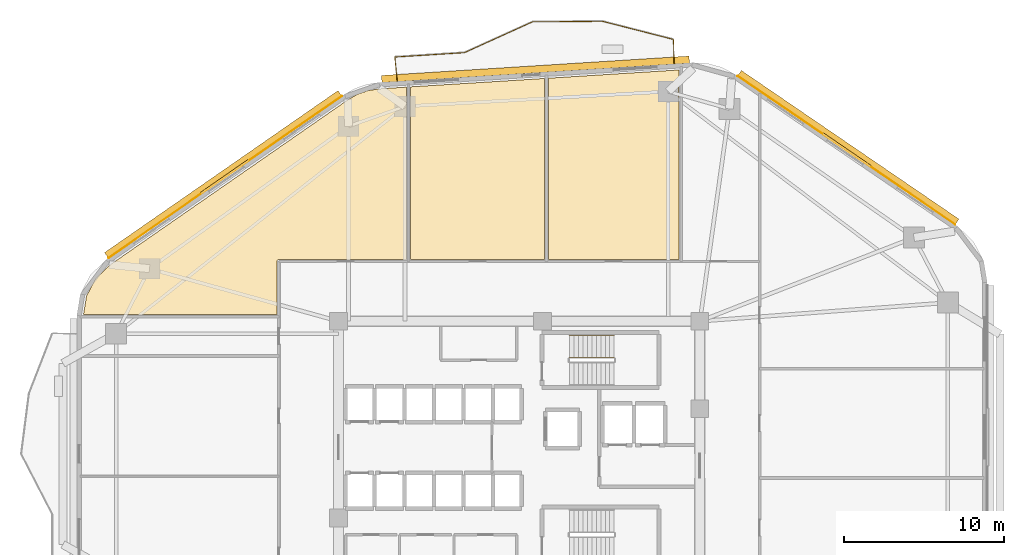
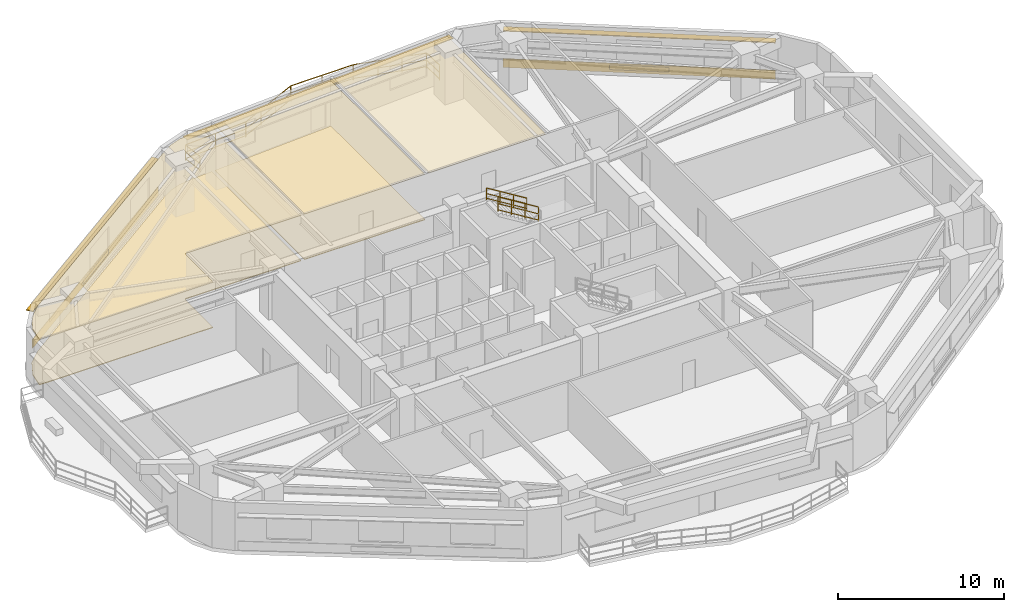
# One storey, part 9 of 9: 8 railings, 7 coverings, 5 shading devices.
"""IFC4 building model written with IfcOpenShell, lengths in metres."""

from ifc_helpers import new_model, si_unit, direction, frame, origin, origin_2d, place, context, subcontext, project, spatial, polyline, rectangle, outline, extrude, material, layer, layer_set, type_object, element, save


model = new_model("IFC4")

# Units and contexts
model_context = context("Model", 3, precision=1e-05, world=origin(), true_north=direction((0.0, 1.0)))
body_context = subcontext(model_context, "Body", "Model", "MODEL_VIEW")
ifc_project = project(units=[si_unit("LENGTHUNIT", "METRE"), si_unit("AREAUNIT", "SQUARE_METRE"), si_unit("VOLUMEUNIT", "CUBIC_METRE"), si_unit("PLANEANGLEUNIT", "RADIAN"), si_unit("MASSUNIT", "GRAM", prefix="KILO")], contexts=[model_context])

# Site, building, storey
site_placement = place(None, origin())
site = spatial("IfcSite", under=ifc_project, at=site_placement, CompositionType="ELEMENT")
building_placement = place(site_placement, origin())
building = spatial("IfcBuilding", under=site, at=building_placement, Name="Zulverin Broadcast Headquarters", CompositionType="ELEMENT")
storey_placement = place(building_placement, frame((0.0, 0.0, 51.60009765625)))
storey = spatial("IfcBuildingStorey", under=building, at=storey_placement, Name="L12", CompositionType="ELEMENT", Elevation=51.60009765625)

# Coverings
ifc_material_1 = material(Name="Perforated pale-metal acoustic baffle ceiling", Category="aluminium")
ifc_layer_1 = layer(ifc_material_1, 0.0400390625, Name="Perforated pale-metal acoustic baffle ceiling", Category="aluminium")
ifc_layer_set_1 = layer_set([ifc_layer_1], Name="Perforated pale-metal acoustic baffle ceiling")
covering_type_1 = type_object("IfcCoveringType", Name="COV-CEIL-ACOU", PredefinedType="CEILING", material=ifc_layer_set_1)
covering_1_placement = place(storey_placement, frame((0.0, 0.0, 3.344970703125)))
element("IfcCovering", 1, at=covering_1_placement, inside=storey, type_object=covering_type_1, Name="L12 Acoustic Baffle Ceiling 01", PredefinedType="CEILING", context=body_context, shape_type="SweptSolid", body=[
    extrude(outline(polyline([(11.4599609375, 36.583984375), (10.56005859375, 35.719970703125), (10.0, 34.639892578125), (9.81591796875, 33.5), (21.8798828125, 33.5), (21.8798828125, 36.800048828125), (21.8798828125, 36.81201171875), (21.884033203125, 36.823974609375), (21.884033203125, 36.8359375), (21.887939453125, 36.843994140625), (21.89599609375, 36.85595703125), (21.89990234375, 36.867919921875), (21.907958984375, 36.8759765625), (21.916015625, 36.884033203125), (21.924072265625, 36.89208984375), (21.931884765625, 36.89990234375), (21.944091796875, 36.904052734375), (21.9560546875, 36.912109375), (21.964111328125, 36.916015625), (21.97607421875, 36.916015625), (21.988037109375, 36.919921875), (22.0, 36.919921875), (29.97998046875, 36.919921875), (29.97998046875, 47.68408203125), (28.27587890625, 47.575927734375), (27.575927734375, 47.468017578125), (26.927978515625, 47.243896484375), (26.31591796875, 46.89599609375), (11.4599609375, 36.583984375)])), origin(), (0.0, 0.0, 1.0), 0.0400390625),
])
covering_2_placement = place(storey_placement, frame((0.0, 0.0, 3.344970703125)))
element("IfcCovering", 2, at=covering_2_placement, inside=storey, type_object=covering_type_1, Name="L12 Acoustic Baffle Ceiling 02", PredefinedType="CEILING", context=body_context, shape_type="SweptSolid", body=[
    extrude(outline(polyline([(38.580078125, 36.919921875), (38.580078125, 48.22412109375), (30.219970703125, 47.699951171875), (30.219970703125, 36.919921875), (38.580078125, 36.919921875)])), origin(), (0.0, 0.0, 1.0), 0.0400390625),
])
covering_3_placement = place(storey_placement, frame((0.0, 0.0, 3.344970703125)))
element("IfcCovering", 3, at=covering_3_placement, inside=storey, type_object=covering_type_1, Name="L12 Acoustic Baffle Ceiling 03", PredefinedType="CEILING", context=body_context, shape_type="SweptSolid", body=[
    extrude(outline(polyline([(46.97998046875, 36.919921875), (46.97998046875, 48.756103515625), (38.820068359375, 48.239990234375), (38.820068359375, 36.919921875), (46.97998046875, 36.919921875)])), origin(), (0.0, 0.0, 1.0), 0.0400390625),
])
ifc_material_2 = material(Name="Brushed pale-aluminium rainscreen cladding", Category="aluminium")
ifc_layer_2 = layer(ifc_material_2, 0.0400390625, Name="Brushed pale-aluminium rainscreen cladding", Category="aluminium")
ifc_layer_set_2 = layer_set([ifc_layer_2], Name="Brushed pale-aluminium rainscreen cladding")
covering_type_2 = type_object("IfcCoveringType", Name="COV-CLAD-PALE", PredefinedType="CLADDING", material=ifc_layer_set_2)
covering_4_placement = place(storey_placement, frame((57.418212890625, 43.742431640625, 0.054931640625), z_axis=(0.0, 0.0, 1.0), x_axis=(-0.825756855157, 0.564026254851, 0.0)))
element("IfcCovering", 4, at=covering_4_placement, inside=storey, type_object=covering_type_2, Name="L12 Brushed Pale-Aluminium Spandrel Cladding 4", PredefinedType="CLADDING", context=body_context, shape_type="SweptSolid", body=[
    extrude(rectangle(XDim=16.4482421875, YDim=0.0400390625, at=origin_2d()), origin(), (0.0, 0.0, 1.0), 0.64990234375),
])
covering_5_placement = place(storey_placement, frame((18.648193359375, 42.072021484375, 0.054931640625), z_axis=(0.0, 0.0, 1.0), x_axis=(-0.821556397865, -0.57012725345, 0.0)))
element("IfcCovering", 5, at=covering_5_placement, inside=storey, type_object=covering_type_2, Name="L12 Brushed Pale-Aluminium Spandrel Cladding 6", PredefinedType="CLADDING", context=body_context, shape_type="SweptSolid", body=[
    extrude(rectangle(XDim=17.732421875, YDim=0.0400390625, at=origin_2d()), origin(), (0.0, 0.0, 1.0), 0.64990234375),
])
ifc_material_3 = material(Name="Anti-static broadcast raised access flooring", Category="stone")
ifc_layer_3 = layer(ifc_material_3, 0.050048828125, Name="Anti-static broadcast raised access flooring", Category="stone")
ifc_layer_set_3 = layer_set([ifc_layer_3], Name="Anti-static broadcast raised access flooring")
covering_type_3 = type_object("IfcCoveringType", Name="COV-FLR-RAISED", PredefinedType="FLOORING", material=ifc_layer_set_3)
covering_6_placement = place(storey_placement, origin())
element("IfcCovering", 6, at=covering_6_placement, inside=storey, type_object=covering_type_3, Name="L12 Broadcast Raised Access Flooring 01", PredefinedType="FLOORING", context=body_context, shape_type="SweptSolid", body=[
    extrude(outline(polyline([(11.4599609375, 36.583984375), (10.56005859375, 35.719970703125), (10.0, 34.639892578125), (9.81591796875, 33.5), (21.8798828125, 33.5), (21.8798828125, 36.800048828125), (21.8798828125, 36.81201171875), (21.884033203125, 36.823974609375), (21.884033203125, 36.8359375), (21.887939453125, 36.843994140625), (21.89599609375, 36.85595703125), (21.89990234375, 36.867919921875), (21.907958984375, 36.8759765625), (21.916015625, 36.884033203125), (21.924072265625, 36.89208984375), (21.931884765625, 36.89990234375), (21.944091796875, 36.904052734375), (21.9560546875, 36.912109375), (21.964111328125, 36.916015625), (21.97607421875, 36.916015625), (21.988037109375, 36.919921875), (22.0, 36.919921875), (29.97998046875, 36.919921875), (29.97998046875, 47.68408203125), (28.27587890625, 47.575927734375), (27.575927734375, 47.468017578125), (26.927978515625, 47.243896484375), (26.31591796875, 46.89599609375), (11.4599609375, 36.583984375)])), origin(), (0.0, 0.0, 1.0), 0.0498046875),
])
covering_7_placement = place(storey_placement, origin())
element("IfcCovering", 7, at=covering_7_placement, inside=storey, type_object=covering_type_3, Name="L12 Broadcast Raised Access Flooring 02", PredefinedType="FLOORING", context=body_context, shape_type="SweptSolid", body=[
    extrude(outline(polyline([(38.580078125, 36.919921875), (38.580078125, 48.22412109375), (30.219970703125, 47.699951171875), (30.219970703125, 36.919921875), (38.580078125, 36.919921875)])), origin(), (0.0, 0.0, 1.0), 0.0498046875),
])

# Railings
ifc_material_4 = material(Name="Brushed stainless steel & laminated glass balustrade", Category="steel")
railing_type_1 = type_object("IfcRailingType", Name="RL-GUARD-1150", PredefinedType="GUARDRAIL", material=ifc_material_4)
railing_1_placement = place(storey_placement, frame((46.662841796875, 49.176025390625, 0.0)))
element("IfcRailing", 8, at=railing_1_placement, inside=storey, type_object=railing_type_1, Name="L12 Vertical-Forest Balcony Guardrail BAL_N Segment 01", PredefinedType="GUARDRAIL", context=body_context, shape_type="SweptSolid", body=[
    extrude(rectangle(XDim=0.048095703125, YDim=0.048095703125, at=origin_2d()), frame((0.0, 0.0, 1.1259765625), z_axis=(-0.022479328211, 0.999747307975, 0.0), x_axis=(-0.999747307975, -0.022479328211, 0.0)), (0.0, 0.0, 1.0), 1.46630859375),
    extrude(rectangle(XDim=0.0419921875, YDim=0.0419921875, at=origin_2d()), frame((0.0, 0.0, 0.597900390625), z_axis=(-0.022479328211, 0.999747307975, 0.0), x_axis=(-0.999747307975, -0.022479328211, 0.0)), (0.0, 0.0, 1.0), 1.46630859375),
    extrude(rectangle(XDim=0.0419921875, YDim=0.0419921875, at=origin_2d()), frame((0.0, 0.0, 0.1201171875), z_axis=(-0.022479328211, 0.999747307975, 0.0), x_axis=(-0.999747307975, -0.022479328211, 0.0)), (0.0, 0.0, 1.0), 1.46630859375),
    extrude(rectangle(XDim=0.0419921875, YDim=0.0419921875, at=origin_2d()), origin(), (0.0, 0.0, 1.0), 1.101806640625),
    extrude(rectangle(XDim=0.0419921875, YDim=0.0419921875, at=origin_2d()), frame((-0.032958984375, 1.4658203125, 0.0)), (0.0, 0.0, 1.0), 1.101806640625),
])
railing_2_placement = place(storey_placement, frame((46.614990234375, 50.66064453125, 0.0)))
element("IfcRailing", 9, at=railing_2_placement, inside=storey, type_object=railing_type_1, Name="L12 Vertical-Forest Balcony Guardrail BAL_N Segment 02", PredefinedType="GUARDRAIL", context=body_context, shape_type="SweptSolid", body=[
    extrude(rectangle(XDim=0.048095703125, YDim=0.048095703125, at=origin_2d()), frame((0.0, 0.0, 1.1259765625), z_axis=(-0.968834750969, 0.247707943583, 0.0), x_axis=(-0.247707943583, -0.968834750969, 0.0)), (0.0, 0.0, 1.0), 4.550537109375),
    extrude(rectangle(XDim=0.0419921875, YDim=0.0419921875, at=origin_2d()), frame((0.0, 0.0, 0.597900390625), z_axis=(-0.968834750969, 0.247707943583, 0.0), x_axis=(-0.247707943583, -0.968834750969, 0.0)), (0.0, 0.0, 1.0), 4.550537109375),
    extrude(rectangle(XDim=0.0419921875, YDim=0.0419921875, at=origin_2d()), frame((0.0, 0.0, 0.1201171875), z_axis=(-0.968834750969, 0.247707943583, 0.0), x_axis=(-0.247707943583, -0.968834750969, 0.0)), (0.0, 0.0, 1.0), 4.550537109375),
    extrude(rectangle(XDim=0.0419921875, YDim=0.0419921875, at=origin_2d()), origin(), (0.0, 0.0, 1.0), 1.101806640625),
    extrude(rectangle(XDim=0.0419921875, YDim=0.0419921875, at=origin_2d()), frame((-1.469482421875, 0.375732421875, 0.0)), (0.0, 0.0, 1.0), 1.101806640625),
    extrude(rectangle(XDim=0.0419921875, YDim=0.0419921875, at=origin_2d()), frame((-2.939208984375, 0.75146484375, 0.0)), (0.0, 0.0, 1.0), 1.101806640625),
    extrude(rectangle(XDim=0.0419921875, YDim=0.0419921875, at=origin_2d()), frame((-4.40869140625, 1.127197265625, 0.0)), (0.0, 0.0, 1.0), 1.101806640625),
])
railing_3_placement = place(storey_placement, frame((42.177001953125, 51.79150390625, 0.0)))
element("IfcRailing", 10, at=railing_3_placement, inside=storey, type_object=railing_type_1, Name="L12 Vertical-Forest Balcony Guardrail BAL_N Segment 03", PredefinedType="GUARDRAIL", context=body_context, shape_type="SweptSolid", body=[
    extrude(rectangle(XDim=0.048095703125, YDim=0.048095703125, at=origin_2d()), frame((0.0, 0.0, 1.1259765625), z_axis=(-0.999965244372, -0.00833726867, 0.0), x_axis=(0.00833726867, -0.999965244372, 0.0)), (0.0, 0.0, 1.0), 4.333984375),
    extrude(rectangle(XDim=0.0419921875, YDim=0.0419921875, at=origin_2d()), frame((0.0, 0.0, 0.597900390625), z_axis=(-0.999965244372, -0.00833726867, 0.0), x_axis=(0.00833726867, -0.999965244372, 0.0)), (0.0, 0.0, 1.0), 4.333984375),
    extrude(rectangle(XDim=0.0419921875, YDim=0.0419921875, at=origin_2d()), frame((0.0, 0.0, 0.1201171875), z_axis=(-0.999965244372, -0.00833726867, 0.0), x_axis=(0.00833726867, -0.999965244372, 0.0)), (0.0, 0.0, 1.0), 4.333984375),
    extrude(rectangle(XDim=0.0419921875, YDim=0.0419921875, at=origin_2d()), origin(), (0.0, 0.0, 1.0), 1.101806640625),
    extrude(rectangle(XDim=0.0419921875, YDim=0.0419921875, at=origin_2d()), frame((-2.1669921875, -0.01806640625, 0.0)), (0.0, 0.0, 1.0), 1.101806640625),
    extrude(rectangle(XDim=0.0419921875, YDim=0.0419921875, at=origin_2d()), frame((-4.333740234375, -0.0361328125, 0.0)), (0.0, 0.0, 1.0), 1.101806640625),
])
railing_4_placement = place(storey_placement, frame((37.814453125, 51.7490234375, 0.0)))
element("IfcRailing", 11, at=railing_4_placement, inside=storey, type_object=railing_type_1, Name="L12 Vertical-Forest Balcony Guardrail BAL_N Segment 04", PredefinedType="GUARDRAIL", context=body_context, shape_type="SweptSolid", body=[
    extrude(rectangle(XDim=0.048095703125, YDim=0.048095703125, at=origin_2d()), frame((0.0, 0.0, 1.1259765625), z_axis=(-0.911046141087, -0.412304412794, 0.0), x_axis=(0.412304412794, -0.911046141087, 0.0)), (0.0, 0.0, 1.0), 4.62939453125),
    extrude(rectangle(XDim=0.0419921875, YDim=0.0419921875, at=origin_2d()), frame((0.0, 0.0, 0.597900390625), z_axis=(-0.911046141087, -0.412304412794, 0.0), x_axis=(0.412304412794, -0.911046141087, 0.0)), (0.0, 0.0, 1.0), 4.62939453125),
    extrude(rectangle(XDim=0.0419921875, YDim=0.0419921875, at=origin_2d()), frame((0.0, 0.0, 0.1201171875), z_axis=(-0.911046141087, -0.412304412794, 0.0), x_axis=(0.412304412794, -0.911046141087, 0.0)), (0.0, 0.0, 1.0), 4.62939453125),
    extrude(rectangle(XDim=0.0419921875, YDim=0.0419921875, at=origin_2d()), origin(), (0.0, 0.0, 1.0), 1.101806640625),
    extrude(rectangle(XDim=0.0419921875, YDim=0.0419921875, at=origin_2d()), frame((-1.40576171875, -0.63623046875, 0.0)), (0.0, 0.0, 1.0), 1.101806640625),
    extrude(rectangle(XDim=0.0419921875, YDim=0.0419921875, at=origin_2d()), frame((-2.811767578125, -1.2724609375, 0.0)), (0.0, 0.0, 1.0), 1.101806640625),
    extrude(rectangle(XDim=0.0419921875, YDim=0.0419921875, at=origin_2d()), frame((-4.217529296875, -1.90869140625, 0.0)), (0.0, 0.0, 1.0), 1.101806640625),
])
railing_5_placement = place(storey_placement, frame((33.568359375, 49.833251953125, 0.0)))
element("IfcRailing", 12, at=railing_5_placement, inside=storey, type_object=railing_type_1, Name="L12 Vertical-Forest Balcony Guardrail BAL_N Segment 05", PredefinedType="GUARDRAIL", context=body_context, shape_type="SweptSolid", body=[
    extrude(rectangle(XDim=0.048095703125, YDim=0.048095703125, at=origin_2d()), frame((0.0, 0.0, 1.1259765625), z_axis=(-0.998015967654, -0.062961323906, 0.0), x_axis=(0.062961323906, -0.998015967654, 0.0)), (0.0, 0.0, 1.0), 4.327392578125),
    extrude(rectangle(XDim=0.0419921875, YDim=0.0419921875, at=origin_2d()), frame((0.0, 0.0, 0.597900390625), z_axis=(-0.998015967654, -0.062961323906, 0.0), x_axis=(0.062961323906, -0.998015967654, 0.0)), (0.0, 0.0, 1.0), 4.327392578125),
    extrude(rectangle(XDim=0.0419921875, YDim=0.0419921875, at=origin_2d()), frame((0.0, 0.0, 0.1201171875), z_axis=(-0.998015967654, -0.062961323906, 0.0), x_axis=(0.062961323906, -0.998015967654, 0.0)), (0.0, 0.0, 1.0), 4.327392578125),
    extrude(rectangle(XDim=0.0419921875, YDim=0.0419921875, at=origin_2d()), origin(), (0.0, 0.0, 1.0), 1.101806640625),
    extrude(rectangle(XDim=0.0419921875, YDim=0.0419921875, at=origin_2d()), frame((-2.159423828125, -0.13623046875, 0.0)), (0.0, 0.0, 1.0), 1.101806640625),
    extrude(rectangle(XDim=0.0419921875, YDim=0.0419921875, at=origin_2d()), frame((-4.31884765625, -0.2724609375, 0.0)), (0.0, 0.0, 1.0), 1.101806640625),
])
railing_6_placement = place(storey_placement, frame((29.236083984375, 49.545166015625, 0.0)))
element("IfcRailing", 13, at=railing_6_placement, inside=storey, type_object=railing_type_1, Name="L12 Vertical-Forest Balcony Guardrail BAL_N Segment 06", PredefinedType="GUARDRAIL", context=body_context, shape_type="SweptSolid", body=[
    extrude(rectangle(XDim=0.048095703125, YDim=0.048095703125, at=origin_2d()), frame((0.0, 0.0, 1.1259765625), z_axis=(0.103393334431, -0.994640547331, 0.0), x_axis=(0.994640547331, 0.103393334431, 0.0)), (0.0, 0.0, 1.0), 1.46630859375),
    extrude(rectangle(XDim=0.0419921875, YDim=0.0419921875, at=origin_2d()), frame((0.0, 0.0, 0.597900390625), z_axis=(0.103393334431, -0.994640547331, 0.0), x_axis=(0.994640547331, 0.103393334431, 0.0)), (0.0, 0.0, 1.0), 1.46630859375),
    extrude(rectangle(XDim=0.0419921875, YDim=0.0419921875, at=origin_2d()), frame((0.0, 0.0, 0.1201171875), z_axis=(0.103393334431, -0.994640547331, 0.0), x_axis=(0.994640547331, 0.103393334431, 0.0)), (0.0, 0.0, 1.0), 1.46630859375),
    extrude(rectangle(XDim=0.0419921875, YDim=0.0419921875, at=origin_2d()), origin(), (0.0, 0.0, 1.0), 1.101806640625),
    extrude(rectangle(XDim=0.0419921875, YDim=0.0419921875, at=origin_2d()), frame((0.151611328125, -1.45849609375, 0.0)), (0.0, 0.0, 1.0), 1.101806640625),
])
ifc_material_5 = material(Name="Painted galvanized steel tubular guardrail S355JR", Category="steel")
railing_type_2 = type_object("IfcRailingType", Name="RL-ST-GUARD", PredefinedType="GUARDRAIL", material=ifc_material_5)
railing_7_placement = place(storey_placement, frame((42.929931640625, 30.800048828125, 2.072509765625)))
element("IfcRailing", 14, at=railing_7_placement, inside=storey, type_object=railing_type_2, Name="L12 ST-1 stair guard 3", PredefinedType="GUARDRAIL", context=body_context, shape_type="SweptSolid", body=[
    extrude(rectangle(XDim=0.048095703125, YDim=0.048095703125, at=origin_2d()), frame((0.0, 0.0, 1.076171875), z_axis=(-0.851089632645, 0.0, 0.525020415988), x_axis=(0.0, -1.0, 0.0)), (0.0, 0.0, 1.0), 3.2900390625),
    extrude(rectangle(XDim=0.0419921875, YDim=0.0419921875, at=origin_2d()), frame((0.0, 0.0, 0.572021484375), z_axis=(-0.851089632645, 0.0, 0.525020415988), x_axis=(0.0, -1.0, 0.0)), (0.0, 0.0, 1.0), 3.2900390625),
    extrude(rectangle(XDim=0.0419921875, YDim=0.0419921875, at=origin_2d()), frame((0.0, 0.0, 0.1201171875), z_axis=(-0.851089632645, 0.0, 0.525020415988), x_axis=(0.0, -1.0, 0.0)), (0.0, 0.0, 1.0), 3.2900390625),
    extrude(rectangle(XDim=0.0419921875, YDim=0.0419921875, at=origin_2d()), origin(), (0.0, 0.0, 1.0), 1.052001953125),
    extrude(rectangle(XDim=0.0419921875, YDim=0.0419921875, at=origin_2d()), frame((-0.933349609375, 0.0, 0.57568359375)), (0.0, 0.0, 1.0), 1.052001953125),
    extrude(rectangle(XDim=0.0419921875, YDim=0.0419921875, at=origin_2d()), frame((-1.86669921875, 0.0, 1.151611328125)), (0.0, 0.0, 1.0), 1.052001953125),
    extrude(rectangle(XDim=0.0419921875, YDim=0.0419921875, at=origin_2d()), frame((-2.800048828125, 0.0, 1.727294921875)), (0.0, 0.0, 1.0), 1.052001953125),
])
ifc_material_6 = material(Name="Brushed stainless steel 48 mm handrail", Category="steel")
railing_type_3 = type_object("IfcRailingType", Name="RL-ST-HAND", PredefinedType="HANDRAIL", material=ifc_material_6)
railing_8_placement = place(storey_placement, frame((42.929931640625, 32.199951171875, 2.072509765625)))
element("IfcRailing", 15, at=railing_8_placement, inside=storey, type_object=railing_type_3, Name="L12 ST-1 stair handrail 2", PredefinedType="HANDRAIL", context=body_context, shape_type="SweptSolid", body=[
    extrude(rectangle(XDim=0.048095703125, YDim=0.048095703125, at=origin_2d()), frame((0.0, 0.0, 0.8759765625), z_axis=(-0.851089632645, 0.0, 0.525020415988), x_axis=(0.0, -1.0, 0.0)), (0.0, 0.0, 1.0), 3.2900390625),
    extrude(rectangle(XDim=0.0419921875, YDim=0.0419921875, at=origin_2d()), frame((0.0, 0.0, 0.468017578125), z_axis=(-0.851089632645, 0.0, 0.525020415988), x_axis=(0.0, -1.0, 0.0)), (0.0, 0.0, 1.0), 3.2900390625),
    extrude(rectangle(XDim=0.0419921875, YDim=0.0419921875, at=origin_2d()), frame((0.0, 0.0, 0.1201171875), z_axis=(-0.851089632645, 0.0, 0.525020415988), x_axis=(0.0, -1.0, 0.0)), (0.0, 0.0, 1.0), 3.2900390625),
    extrude(rectangle(XDim=0.0419921875, YDim=0.0419921875, at=origin_2d()), origin(), (0.0, 0.0, 1.0), 0.851806640625),
    extrude(rectangle(XDim=0.0419921875, YDim=0.0419921875, at=origin_2d()), frame((-0.933349609375, 0.0, 0.57568359375)), (0.0, 0.0, 1.0), 0.851806640625),
    extrude(rectangle(XDim=0.0419921875, YDim=0.0419921875, at=origin_2d()), frame((-1.86669921875, 0.0, 1.151611328125)), (0.0, 0.0, 1.0), 0.851806640625),
    extrude(rectangle(XDim=0.0419921875, YDim=0.0419921875, at=origin_2d()), frame((-2.800048828125, 0.0, 1.727294921875)), (0.0, 0.0, 1.0), 0.851806640625),
])

# Shading devices
ifc_material_7 = material(Name="Anodized pale-metal aluminium acoustic louvre", Category="aluminium")
shading_device_type_1 = type_object("IfcShadingDeviceType", Name="SHD-LOUVRE-350", PredefinedType="USERDEFINED", material=ifc_material_7)
for number, where, z_axis, x_axis, name in (
    (16, (57.435302734375, 43.76708984375, 0.244873046875), (0.0, 0.0, 1.0), (-0.825756855157, 0.564026254851, 0.0), "L12 Spandrel Intake Louvre 4"),
    (17, (18.631103515625, 42.0966796875, 0.244873046875), (0.0, 0.0, 1.0), (-0.821556397865, -0.57012725345, 0.0), "L12 Spandrel Intake Louvre 6"),
):
    element("IfcShadingDevice", number, at=place(storey_placement, frame(where, z_axis=z_axis, x_axis=x_axis)), inside=storey, type_object=shading_device_type_1, Name=name, ObjectType="LOUVRE", PredefinedType="USERDEFINED", context=body_context, shape_type="SweptSolid", body=[
        extrude(rectangle(XDim=3.60009765625, YDim=0.1201171875, at=origin_2d()), origin(), (0.0, 0.0, 1.0), 0.35009765625),
    ])
ifc_material_8 = material(Name="Anodized pale-metal aluminium sunshade", Category="aluminium")
ifc_layer_4 = layer(ifc_material_8, 0.06005859375, Name="Anodized pale-metal aluminium sunshade", Category="aluminium")
ifc_layer_set_4 = layer_set([ifc_layer_4], Name="Anodized pale-metal aluminium sunshade")
shading_device_type_2 = type_object("IfcShadingDeviceType", Name="SS-01_PALE_METAL_ALUMINIUM_SUNSHADE", PredefinedType="USERDEFINED", material=ifc_layer_set_4)
shading_device_1_placement = place(storey_placement, frame((57.525390625, 43.8994140625, 2.7099609375), z_axis=(0.0, 0.0, 1.0), x_axis=(-0.825756855157, 0.564026254851, 0.0)))
element("IfcShadingDevice", 18, at=shading_device_1_placement, inside=storey, type_object=shading_device_type_2, Name="L12 Horizontal Pale-Metal Sunshade Band 4", ObjectType="SUNSHADE", PredefinedType="USERDEFINED", context=body_context, shape_type="SweptSolid", body=[
    extrude(rectangle(XDim=16.4482421875, YDim=0.449951171875, at=origin_2d()), origin(), (0.0, 0.0, 1.0), 0.06005859375),
])
shading_device_2_placement = place(storey_placement, frame((38.01513671875, 48.791015625, 2.7099609375), z_axis=(0.0, 0.0, 1.0), x_axis=(-0.998017621976, -0.062935095345, 0.0)))
element("IfcShadingDevice", 19, at=shading_device_2_placement, inside=storey, type_object=shading_device_type_2, Name="L12 Horizontal Pale-Metal Sunshade Band 5", ObjectType="SUNSHADE", PredefinedType="USERDEFINED", context=body_context, shape_type="SweptSolid", body=[
    extrude(rectangle(XDim=19.2294921875, YDim=0.449951171875, at=origin_2d()), origin(), (0.0, 0.0, 1.0), 0.06005859375),
])
shading_device_3_placement = place(storey_placement, frame((18.539794921875, 42.22802734375, 2.7099609375), z_axis=(0.0, 0.0, 1.0), x_axis=(-0.821556397865, -0.57012725345, 0.0)))
element("IfcShadingDevice", 20, at=shading_device_3_placement, inside=storey, type_object=shading_device_type_2, Name="L12 Horizontal Pale-Metal Sunshade Band 6", ObjectType="SUNSHADE", PredefinedType="USERDEFINED", context=body_context, shape_type="SweptSolid", body=[
    extrude(rectangle(XDim=17.732421875, YDim=0.449951171875, at=origin_2d()), origin(), (0.0, 0.0, 1.0), 0.06005859375),
])

save(model, "model.ifc")
